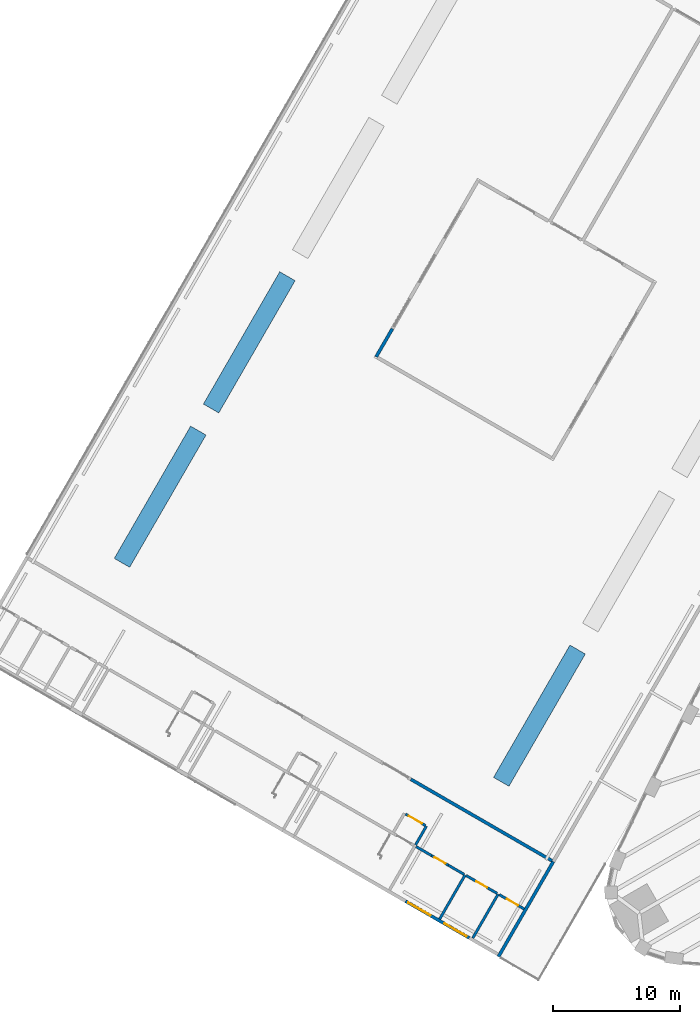
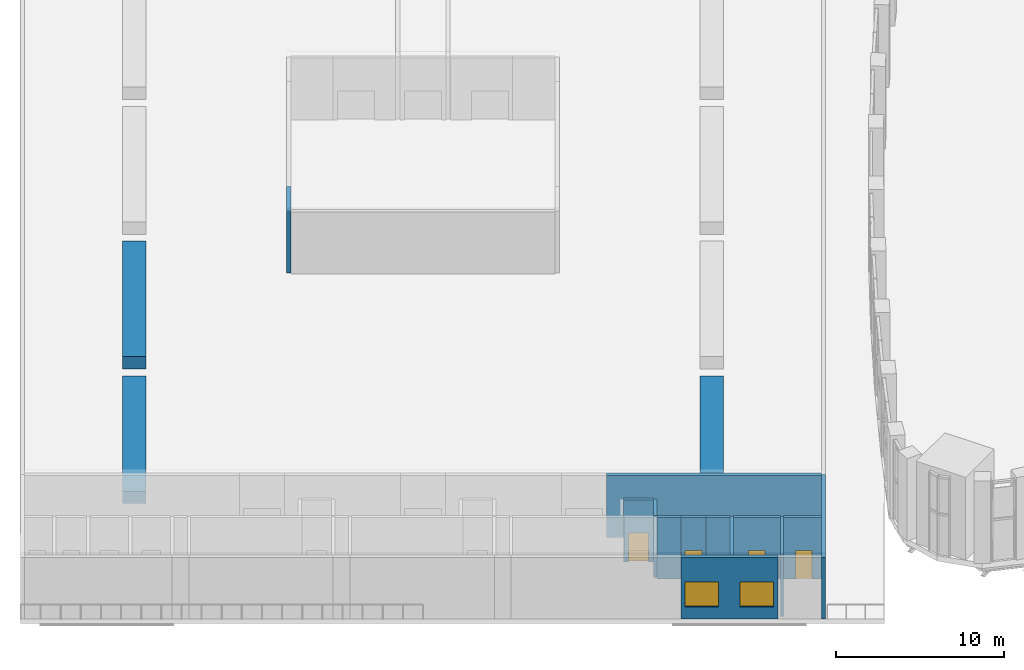
# One storey, part 23 of 41: 16 walls, 4 doors, 2 windows, 6 openings.
"""IFC4 building model written with IfcOpenShell, lengths in metres."""

from ifc_helpers import new_model, si_unit, direction, frame, frame_2d, origin, place, context, subcontext, project, spatial, rectangle, extrude, material, layer, layer_set, type_object, element, fill, save


model = new_model("IFC4")

# Units and contexts
model_context = context("Model", 3, precision=1e-05, world=origin(), true_north=direction((0.0, 1.0)))
body_context = subcontext(model_context, "Body", "Model", "MODEL_VIEW")
ifc_project = project(units=[si_unit("LENGTHUNIT", "METRE"), si_unit("AREAUNIT", "SQUARE_METRE"), si_unit("VOLUMEUNIT", "CUBIC_METRE"), si_unit("PLANEANGLEUNIT", "RADIAN"), si_unit("MASSUNIT", "GRAM", prefix="KILO")], contexts=[model_context])

# Site, building, storey
site_placement = place(None, origin())
site = spatial("IfcSite", under=ifc_project, at=site_placement, CompositionType="ELEMENT")
building_placement = place(site_placement, origin())
building = spatial("IfcBuilding", under=site, at=building_placement, Name="Mestral Congress Tower", CompositionType="ELEMENT")
storey_placement = place(building_placement, frame((0.0, 0.0, 21.60009765625)))
storey = spatial("IfcBuildingStorey", under=building, at=storey_placement, Name="L04", CompositionType="ELEMENT", Elevation=21.60009765625)

# Walls
ifc_material_1 = material(Name="Precast concrete C40/50 with limestone facing", Category="masonry")
ifc_layer_1 = layer(ifc_material_1, 0.25)
ifc_layer_set_1 = layer_set([ifc_layer_1], Name="Precast concrete C40/50 with limestone facing")
wall_type_1 = type_object("IfcWallType", Name="Podium external wall 250 R 180 load-bearing to roof", PredefinedType="SOLIDWALL", material=ifc_layer_set_1)
wall_1_placement = place(storey_placement, frame((-38.25, -14.14501953125, 0.0), z_axis=(0.0, 0.0, 1.0), x_axis=(-0.499999331568, -0.866025789703, 0.0)))
element("IfcWall", 1, at=wall_1_placement, inside=storey, type_object=wall_type_1, Name="L04 external wall", PredefinedType="SOLIDWALL", context=body_context, shape_type="SweptSolid", body=[
    extrude(rectangle(XDim=8.625, YDim=0.25, at=frame_2d((4.3125, 0.0))), origin(), (0.0, 0.0, 1.0), 4.5),
])
wall_2_placement = place(storey_placement, frame((-52.1669921875, 25.5, 0.0), z_axis=(0.0, 0.0, 1.0), x_axis=(0.499990435942, 0.866030925526, 0.0)))
element("IfcWall", 2, at=wall_2_placement, inside=storey, type_object=wall_type_1, Name="L04 external wall", PredefinedType="SOLIDWALL", context=body_context, shape_type="SweptSolid", body=[
    extrude(rectangle(XDim=2.5498046875, YDim=0.25, at=frame_2d((1.27490234375, 0.0))), origin(), (0.0, 0.0, 1.0), 4.5),
])
wall_3_placement = place(storey_placement, frame((-38.3583984375, -14.08251953125, 0.0), z_axis=(0.0, 0.0, 1.0), x_axis=(-0.866025499775, 0.499999833739, 0.0)))
element("IfcWall", 3, at=wall_3_placement, inside=storey, type_object=wall_type_1, Name="L04 external wall", PredefinedType="SOLIDWALL", context=body_context, shape_type="SweptSolid", body=[
    extrude(rectangle(XDim=12.7998046875, YDim=0.25, at=frame_2d((6.39990234375, 0.0))), origin(), (0.0, 0.0, 1.0), 4.5),
])

# Wall, openings, windows
wall_4_placement = place(storey_placement, frame((-44.860107421875, -20.143798828125, 0.0), z_axis=(0.0, 0.0, 1.0), x_axis=(-0.866025774745, 0.499999357477, 0.0)))
wall_4 = element("IfcWall", 4, at=wall_4_placement, inside=storey, type_object=wall_type_1, Name="L04 external wall", PredefinedType="SOLIDWALL", context=body_context, shape_type="SweptSolid", body=[
    extrude(rectangle(XDim=5.77490234375, YDim=0.25, at=frame_2d((2.887451171875, 0.0))), origin(), (0.0, 0.0, 1.0), 4.5),
])
opening_1_placement = place(wall_4_placement, frame((0.25, 0.0, 0.89990234375)))
opening_1 = element("IfcOpeningElement", 5, at=opening_1_placement, cuts=wall_4, Name="Opening PW-2000x1800", PredefinedType="OPENING", context=body_context, shape_type="SweptSolid", body=[
    extrude(rectangle(XDim=2.0, YDim=1.800048828125, at=frame_2d((1.0, 0.89990234375))), frame((0.0, 0.135009765625, 0.0), z_axis=(0.0, -1.0, 0.0), x_axis=(1.0, 0.0, 0.0)), (0.0, 0.0, 1.0), 0.27001953125),
])
opening_2_placement = place(wall_4_placement, frame((3.52490234375, 0.0, 0.89990234375)))
opening_2 = element("IfcOpeningElement", 6, at=opening_2_placement, cuts=wall_4, Name="Opening PW-2000x1800", PredefinedType="OPENING", context=body_context, shape_type="SweptSolid", body=[
    extrude(rectangle(XDim=2.0, YDim=1.800048828125, at=frame_2d((1.0, 0.89990234375))), frame((0.0, 0.135009765625, 0.0), z_axis=(0.0, -1.0, 0.0), x_axis=(1.0, 0.0, 0.0)), (0.0, 0.0, 1.0), 0.27001953125),
])
ifc_material_2 = material(Name="Aluminium frame, clear double glazing", Category="aluminium")
window_type = type_object("IfcWindowType", Name="Podium window 2000x1800 sill 900", PartitioningType="SINGLE_PANEL", PredefinedType="WINDOW", material=ifc_material_2)
window_1_placement = place(opening_1_placement, origin())
window_1 = element("IfcWindow", 7, at=window_1_placement, inside=storey, type_object=window_type, Name="Window", OverallHeight=1.800048828125, OverallWidth=2.0, PartitioningType="SINGLE_PANEL", PredefinedType="WINDOW", context=body_context, shape_type="SweptSolid", body=[
    extrude(rectangle(XDim=2.0, YDim=1.800048828125, at=frame_2d((1.0, 0.89990234375))), frame((0.0, 0.030029296875, 0.0), z_axis=(0.0, -1.0, 0.0), x_axis=(1.0, 0.0, 0.0)), (0.0, 0.0, 1.0), 0.06005859375),
])
fill(opening_1, window_1)
window_2_placement = place(opening_2_placement, origin())
window_2 = element("IfcWindow", 8, at=window_2_placement, inside=storey, type_object=window_type, Name="Window", OverallHeight=1.800048828125, OverallWidth=2.0, PartitioningType="SINGLE_PANEL", PredefinedType="WINDOW", context=body_context, shape_type="SweptSolid", body=[
    extrude(rectangle(XDim=2.0, YDim=1.800048828125, at=frame_2d((1.0, 0.89990234375))), frame((0.0, 0.030029296875, 0.0), z_axis=(0.0, -1.0, 0.0), x_axis=(1.0, 0.0, 0.0)), (0.0, 0.0, 1.0), 0.06005859375),
])
fill(opening_2, window_2)

# Walls
ifc_material_3 = material(Name="Precast concrete C30/37 planter", Category="concrete")
ifc_layer_2 = layer(ifc_material_3, 1.39990234375)
ifc_layer_set_2 = layer_set([ifc_layer_2], Name="Precast concrete C30/37 planter")
wall_type_2 = type_object("IfcWallType", Name="Podium planter bed 1400", PredefinedType="SOLIDWALL", material=ifc_layer_set_2)
wall_5_placement = place(storey_placement, frame((-36.34326171875, 2.507568359375, 0.0), z_axis=(0.0, 0.0, 1.0), x_axis=(-0.49999894854, -0.866026010844, 0.0)))
element("IfcWall", 9, at=wall_5_placement, inside=storey, type_object=wall_type_2, Name="PLANTER", PredefinedType="SOLIDWALL", context=body_context, shape_type="SweptSolid", body=[
    extrude(rectangle(XDim=12.0, YDim=1.39990234375, at=frame_2d((6.0, 0.0))), origin(), (0.0, 0.0, 1.0), 0.89990234375),
])
wall_6_placement = place(storey_placement, frame((-59.134521484375, 31.831787109375, 0.0), z_axis=(0.0, 0.0, 1.0), x_axis=(-0.500007758305, -0.866020924479, 0.0)))
element("IfcWall", 10, at=wall_6_placement, inside=storey, type_object=wall_type_2, Name="PLANTER", PredefinedType="SOLIDWALL", context=body_context, shape_type="SweptSolid", body=[
    extrude(rectangle(XDim=11.999755859375, YDim=1.39990234375, at=frame_2d((6.0, 0.0))), origin(), (0.0, 0.0, 1.0), 0.89990234375),
])
wall_7_placement = place(storey_placement, frame((-66.134521484375, 19.70751953125, 0.0), z_axis=(0.0, 0.0, 1.0), x_axis=(-0.49999894854, -0.866026010844, 0.0)))
element("IfcWall", 11, at=wall_7_placement, inside=storey, type_object=wall_type_2, Name="PLANTER", PredefinedType="SOLIDWALL", context=body_context, shape_type="SweptSolid", body=[
    extrude(rectangle(XDim=12.0, YDim=1.39990234375, at=frame_2d((6.0, 0.0))), origin(), (0.0, 0.0, 1.0), 0.89990234375),
])
ifc_material_4 = material(Name="Fire-rated board partition")
ifc_layer_3 = layer(ifc_material_4, 0.199951171875)
ifc_layer_set_3 = layer_set([ifc_layer_3], Name="Fire-rated board partition")
wall_type_3 = type_object("IfcWallType", Name="Podium vestibule wall 200 EI 120", PredefinedType="PARTITIONING", material=ifc_layer_set_3)
wall_8_placement = place(storey_placement, frame((-48.219482421875, -11.362548828125, 0.0), z_axis=(0.0, 0.0, 1.0), x_axis=(-0.500062241894, -0.865989465428, 0.0)))
element("IfcWall", 12, at=wall_8_placement, inside=storey, type_object=wall_type_3, Name="L04 partition", PredefinedType="PARTITIONING", context=body_context, shape_type="SweptSolid", body=[
    extrude(rectangle(XDim=1.699951171875, YDim=0.199951171875, at=frame_2d((0.85009765625, 0.0))), origin(), (0.0, 0.0, 1.0), 4.5),
])

# Wall, opening, door
wall_9_placement = place(storey_placement, frame((-48.30615234375, -11.3125, 0.0), z_axis=(0.0, 0.0, 1.0), x_axis=(-0.866047807691, 0.499961193289, 0.0)))
wall_9 = element("IfcWall", 13, at=wall_9_placement, inside=storey, type_object=wall_type_3, Name="L04 partition", PredefinedType="PARTITIONING", context=body_context, shape_type="SweptSolid", body=[
    extrude(rectangle(XDim=1.800048828125, YDim=0.199951171875, at=frame_2d((0.89990234375, 0.0))), origin(), (0.0, 0.0, 1.0), 4.5),
])
opening_3_placement = place(wall_9_placement, frame((0.300048828125, 0.0, 0.0)))
opening_3 = element("IfcOpeningElement", 14, at=opening_3_placement, cuts=wall_9, Name="Opening P04-321", PredefinedType="OPENING", context=body_context, shape_type="SweptSolid", body=[
    extrude(rectangle(XDim=1.199951171875, YDim=2.10009765625, at=frame_2d((0.60009765625, 1.050048828125))), frame((0.0, 0.10986328125, 0.0), z_axis=(0.0, -1.0, 0.0), x_axis=(1.0, 0.0, 0.0)), (0.0, 0.0, 1.0), 0.219970703125),
])
ifc_material_5 = material(Name="Fire-rated steel door set", Category="steel")
door_type_1 = type_object("IfcDoorType", Name="Podium vestibule door 1200x2100 EI2 30-C5", OperationType="SINGLE_SWING_LEFT", PredefinedType="DOOR", material=ifc_material_5)
door_1_placement = place(opening_3_placement, origin())
door_1 = element("IfcDoor", 15, at=door_1_placement, inside=storey, type_object=door_type_1, Name="Door P04-321", OperationType="SINGLE_SWING_LEFT", OverallHeight=2.10009765625, OverallWidth=1.199951171875, PredefinedType="DOOR", context=body_context, shape_type="SweptSolid", body=[
    extrude(rectangle(XDim=1.199951171875, YDim=2.10009765625, at=frame_2d((0.60009765625, 1.050048828125))), frame((0.0, 0.02490234375, 0.0), z_axis=(0.0, -1.0, 0.0), x_axis=(1.0, 0.0, 0.0)), (0.0, 0.0, 1.0), 0.050048828125),
])
fill(opening_3, door_1)

# Wall
wall_10_placement = place(storey_placement, frame((-42.5810546875, -16.6962890625, 0.0), z_axis=(0.0, 0.0, 1.0), x_axis=(-0.49999894854, -0.866026010844, 0.0)))
element("IfcWall", 16, at=wall_10_placement, inside=storey, type_object=wall_type_3, Name="L04 partition", PredefinedType="PARTITIONING", context=body_context, shape_type="SweptSolid", body=[
    extrude(rectangle(XDim=4.0, YDim=0.199951171875, at=frame_2d((2.0, 0.0))), origin(), (0.0, 0.0, 1.0), 4.5),
])

# Wall, opening, door
wall_11_placement = place(storey_placement, frame((-40.5458984375, -17.871337890625, 0.0), z_axis=(0.0, 0.0, 1.0), x_axis=(-0.866017533419, 0.500013631625, 0.0)))
wall_11 = element("IfcWall", 17, at=wall_11_placement, inside=storey, type_object=wall_type_3, Name="L04 partition", PredefinedType="PARTITIONING", context=body_context, shape_type="SweptSolid", body=[
    extrude(rectangle(XDim=2.25, YDim=0.199951171875, at=frame_2d((1.125, 0.0))), origin(), (0.0, 0.0, 1.0), 4.5),
])
opening_4_placement = place(wall_11_placement, frame((0.550048828125, 0.0, 0.0)))
opening_4 = element("IfcOpeningElement", 18, at=opening_4_placement, cuts=wall_11, Name="Opening P04-327", PredefinedType="OPENING", context=body_context, shape_type="SweptSolid", body=[
    extrude(rectangle(XDim=1.0, YDim=2.10009765625, at=frame_2d((0.5, 1.050048828125))), frame((0.0, 0.10986328125, 0.0), z_axis=(0.0, -1.0, 0.0), x_axis=(1.0, 0.0, 0.0)), (0.0, 0.0, 1.0), 0.219970703125),
])
door_type_2 = type_object("IfcDoorType", Name="Podium room door 1000x2100 EI2 30-C5", OperationType="SINGLE_SWING_LEFT", PredefinedType="DOOR", material=ifc_material_5)
door_2_placement = place(opening_4_placement, origin())
door_2 = element("IfcDoor", 19, at=door_2_placement, inside=storey, type_object=door_type_2, Name="Door P04-327", OperationType="SINGLE_SWING_LEFT", OverallHeight=2.10009765625, OverallWidth=1.0, PredefinedType="DOOR", context=body_context, shape_type="SweptSolid", body=[
    extrude(rectangle(XDim=1.0, YDim=2.10009765625, at=frame_2d((0.5, 1.050048828125))), frame((0.0, 0.02490234375, 0.0), z_axis=(0.0, -1.0, 0.0), x_axis=(1.0, 0.0, 0.0)), (0.0, 0.0, 1.0), 0.050048828125),
])
fill(opening_4, door_2)

# Wall
wall_12_placement = place(storey_placement, frame((-45.178955078125, -15.1962890625, 0.0), z_axis=(0.0, 0.0, 1.0), x_axis=(-0.49999894854, -0.866026010844, 0.0)))
element("IfcWall", 20, at=wall_12_placement, inside=storey, type_object=wall_type_3, Name="L04 partition", PredefinedType="PARTITIONING", context=body_context, shape_type="SweptSolid", body=[
    extrude(rectangle(XDim=4.0, YDim=0.199951171875, at=frame_2d((2.0, 0.0))), origin(), (0.0, 0.0, 1.0), 4.5),
])

# Wall, opening, door
wall_13_placement = place(storey_placement, frame((-42.66748046875, -16.646484375, 0.0), z_axis=(0.0, 0.0, 1.0), x_axis=(-0.865996816683, 0.500049511043, 0.0)))
wall_13 = element("IfcWall", 21, at=wall_13_placement, inside=storey, type_object=wall_type_3, Name="L04 partition", PredefinedType="PARTITIONING", context=body_context, shape_type="SweptSolid", body=[
    extrude(rectangle(XDim=2.800048828125, YDim=0.199951171875, at=frame_2d((1.39990234375, 0.0))), origin(), (0.0, 0.0, 1.0), 4.5),
])
opening_5_placement = place(wall_13_placement, frame((0.89990234375, 0.0, 0.0)))
opening_5 = element("IfcOpeningElement", 22, at=opening_5_placement, cuts=wall_13, Name="Opening P04-334", PredefinedType="OPENING", context=body_context, shape_type="SweptSolid", body=[
    extrude(rectangle(XDim=1.0, YDim=2.10009765625, at=frame_2d((0.5, 1.050048828125))), frame((0.0, 0.10986328125, 0.0), z_axis=(0.0, -1.0, 0.0), x_axis=(1.0, 0.0, 0.0)), (0.0, 0.0, 1.0), 0.219970703125),
])
door_3_placement = place(opening_5_placement, origin())
door_3 = element("IfcDoor", 23, at=door_3_placement, inside=storey, type_object=door_type_2, Name="Door P04-334", OperationType="SINGLE_SWING_LEFT", OverallHeight=2.10009765625, OverallWidth=1.0, PredefinedType="DOOR", context=body_context, shape_type="SweptSolid", body=[
    extrude(rectangle(XDim=1.0, YDim=2.10009765625, at=frame_2d((0.5, 1.050048828125))), frame((0.0, 0.02490234375, 0.0), z_axis=(0.0, -1.0, 0.0), x_axis=(1.0, 0.0, 0.0)), (0.0, 0.0, 1.0), 0.050048828125),
])
fill(opening_5, door_3)

# Wall
wall_14_placement = place(storey_placement, frame((-45.265625, -15.146484375, 0.0), z_axis=(0.0, 0.0, 1.0), x_axis=(-0.865988727248, 0.500063520245, 0.0)))
element("IfcWall", 24, at=wall_14_placement, inside=storey, type_object=wall_type_3, Name="L04 partition", PredefinedType="PARTITIONING", context=body_context, shape_type="SweptSolid", body=[
    extrude(rectangle(XDim=1.425048828125, YDim=0.199951171875, at=frame_2d((0.71240234375, 0.0))), origin(), (0.0, 0.0, 1.0), 4.5),
])

# Wall, opening, door
wall_15_placement = place(storey_placement, frame((-46.499755859375, -14.433837890625, 0.0), z_axis=(0.0, 0.0, 1.0), x_axis=(-0.866031096941, 0.499990139034, 0.0)))
wall_15 = element("IfcWall", 25, at=wall_15_placement, inside=storey, type_object=wall_type_3, Name="L04 partition", PredefinedType="PARTITIONING", context=body_context, shape_type="SweptSolid", body=[
    extrude(rectangle(XDim=1.5, YDim=0.199951171875, at=frame_2d((0.75, 0.0))), origin(), (0.0, 0.0, 1.0), 4.5),
])
opening_6_placement = place(wall_15_placement, frame((0.25, 0.0, 0.0)))
opening_6 = element("IfcOpeningElement", 26, at=opening_6_placement, cuts=wall_15, Name="Opening P04-335", PredefinedType="OPENING", context=body_context, shape_type="SweptSolid", body=[
    extrude(rectangle(XDim=1.0, YDim=2.10009765625, at=frame_2d((0.5, 1.050048828125))), frame((0.0, 0.10986328125, 0.0), z_axis=(0.0, -1.0, 0.0), x_axis=(1.0, 0.0, 0.0)), (0.0, 0.0, 1.0), 0.219970703125),
])
door_4_placement = place(opening_6_placement, origin())
door_4 = element("IfcDoor", 27, at=door_4_placement, inside=storey, type_object=door_type_2, Name="Door P04-335", OperationType="SINGLE_SWING_LEFT", OverallHeight=2.10009765625, OverallWidth=1.0, PredefinedType="DOOR", context=body_context, shape_type="SweptSolid", body=[
    extrude(rectangle(XDim=1.0, YDim=2.10009765625, at=frame_2d((0.5, 1.050048828125))), frame((0.0, 0.02490234375, 0.0), z_axis=(0.0, -1.0, 0.0), x_axis=(1.0, 0.0, 0.0)), (0.0, 0.0, 1.0), 0.050048828125),
])
fill(opening_6, door_4)

# Wall
wall_16_placement = place(storey_placement, frame((-47.798828125, -13.683837890625, 0.0), z_axis=(0.0, 0.0, 1.0), x_axis=(-0.866062911188, 0.499935029643, 0.0)))
element("IfcWall", 28, at=wall_16_placement, inside=storey, type_object=wall_type_3, Name="L04 partition", PredefinedType="PARTITIONING", context=body_context, shape_type="SweptSolid", body=[
    extrude(rectangle(XDim=1.425048828125, YDim=0.199951171875, at=frame_2d((0.71240234375, 0.0))), origin(), (0.0, 0.0, 1.0), 4.5),
])

save(model, "model.ifc")
